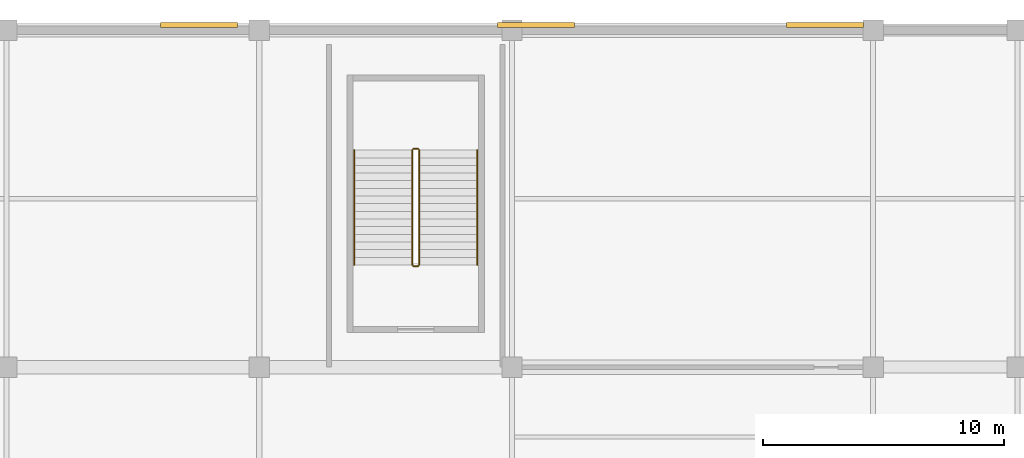
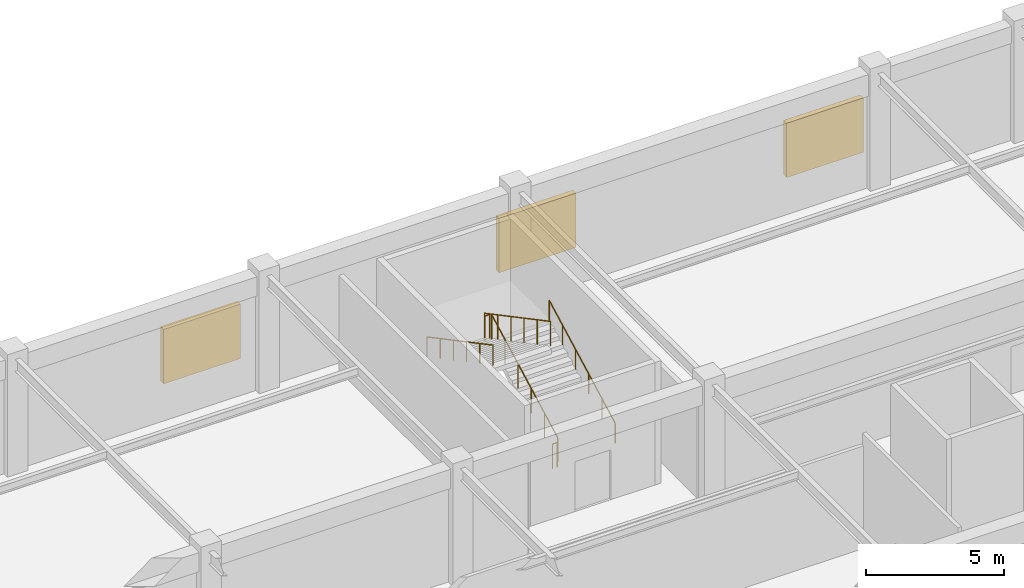
# One storey, part 119 of 120: 6 railings, 3 shading devices.
"""IFC4 building model written with IfcOpenShell, lengths in metres."""

from ifc_helpers import new_model, si_unit, direction, frame, origin, origin_2d, place, context, subcontext, project, spatial, rectangle, circle, extrude, material, type_object, element, save


model = new_model("IFC4")

# Units and contexts
model_context = context("Model", 3, precision=1e-05, world=origin(), true_north=direction((0.0, 1.0)))
body_context = subcontext(model_context, "Body", "Model", "MODEL_VIEW")
ifc_project = project(units=[si_unit("LENGTHUNIT", "METRE"), si_unit("AREAUNIT", "SQUARE_METRE"), si_unit("VOLUMEUNIT", "CUBIC_METRE"), si_unit("PLANEANGLEUNIT", "RADIAN"), si_unit("MASSUNIT", "GRAM", prefix="KILO")], contexts=[model_context])

# Site, building, storey
site_placement = place(None, origin())
site = spatial("IfcSite", under=ifc_project, at=site_placement, CompositionType="ELEMENT")
building_placement = place(site_placement, origin())
building = spatial("IfcBuilding", under=site, at=building_placement, Name="Cuetzalor Civic Arena", CompositionType="ELEMENT")
storey_placement = place(building_placement, frame((0.0, 0.0, 6.0)))
storey = spatial("IfcBuildingStorey", under=building, at=storey_placement, Name="L01", CompositionType="ELEMENT", Elevation=6.0)

# Shading devices
ifc_material_1 = material(Name="Charcoal acoustic anodised aluminium louvre", Category="aluminium")
shading_device_type = type_object("IfcShadingDeviceType", Name="AcousticPlantLouvre_Jalousie", PredefinedType="JALOUSIE", material=ifc_material_1)
for number, where, z_axis, x_axis, name in (
    (1, (8.0, 75.719970703125, 1.400146484375), (0.0, 0.0, 1.0), (1.0, 0.0, 0.0), "Acoustic Plant Intake Louvre L01-04"),
    (2, (22.0, 75.719970703125, 1.400146484375), (0.0, 0.0, 1.0), (1.0, 0.0, 0.0), "Acoustic Plant Intake Louvre L01-05"),
    (3, (34.0, 75.719970703125, 1.400146484375), (0.0, 0.0, 1.0), (1.0, 0.0, 0.0), "Acoustic Plant Intake Louvre L01-06"),
):
    element("IfcShadingDevice", number, at=place(storey_placement, frame(where, z_axis=z_axis, x_axis=x_axis)), inside=storey, type_object=shading_device_type, Name=name, PredefinedType="JALOUSIE", context=body_context, shape_type="SweptSolid", body=[
        extrude(rectangle(XDim=3.199951171875, YDim=0.219970703125, at=origin_2d()), origin(), (0.0, 0.0, 1.0), 2.39990234375),
    ])

# Railings
ifc_material_2 = material(Name="Reseda-green architectural Steel S355 balustrade", Category="steel")
railing_type_1 = type_object("IfcRailingType", Name="InteriorVoidBalustrade_1100", PredefinedType="BALUSTRADE", material=ifc_material_2)
railing_1_placement = place(storey_placement, frame((17.14990234375, 65.75, 0.168701171875)))
element("IfcRailing", 4, at=railing_1_placement, inside=storey, type_object=railing_type_1, Name="L01 ST-26 stair guard 1", PredefinedType="BALUSTRADE", context=body_context, shape_type="SweptSolid", body=[
    extrude(circle(Radius=0.02392578125, at=origin_2d()), frame((0.0, 0.0, 1.0810546875), z_axis=(0.0, 0.883332211103, 0.468747485143), x_axis=(-1.0, 0.0, 0.0)), (0.0, 0.0, 1.0), 5.400146484375),
    extrude(circle(Radius=0.02099609375, at=origin_2d()), origin(), (0.0, 0.0, 1.0), 1.056884765625),
    extrude(circle(Radius=0.02099609375, at=origin_2d()), frame((0.0, 0.9541015625, 0.50634765625)), (0.0, 0.0, 1.0), 1.056884765625),
    extrude(circle(Radius=0.02099609375, at=origin_2d()), frame((0.0, 1.907958984375, 1.012451171875)), (0.0, 0.0, 1.0), 1.056884765625),
    extrude(circle(Radius=0.02099609375, at=origin_2d()), frame((0.0, 2.862060546875, 1.518798828125)), (0.0, 0.0, 1.0), 1.056884765625),
    extrude(circle(Radius=0.02099609375, at=origin_2d()), frame((0.0, 3.81591796875, 2.02490234375)), (0.0, 0.0, 1.0), 1.056884765625),
    extrude(circle(Radius=0.02099609375, at=origin_2d()), frame((0.0, 4.77001953125, 2.53125)), (0.0, 0.0, 1.0), 1.056884765625),
])
railing_2_placement = place(storey_placement, frame((17.10009765625, 70.570068359375, 2.699951171875)))
element("IfcRailing", 5, at=railing_2_placement, inside=storey, type_object=railing_type_1, Name="L01 ST-26 stair guard 2", PredefinedType="BALUSTRADE", context=body_context, shape_type="SweptSolid", body=[
    extrude(circle(Radius=0.02392578125, at=origin_2d()), frame((0.0, 0.0, 1.0810546875), z_axis=(-1.0, 0.0, 0.0), x_axis=(0.0, -1.0, 0.0)), (0.0, 0.0, 1.0), 0.2001953125),
    extrude(circle(Radius=0.02099609375, at=origin_2d()), origin(), (0.0, 0.0, 1.0), 1.056884765625),
    extrude(circle(Radius=0.02099609375, at=origin_2d()), frame((-0.2001953125, 0.0, 0.0)), (0.0, 0.0, 1.0), 1.056884765625),
])
railing_3_placement = place(storey_placement, frame((16.85009765625, 70.52001953125, 2.86865234375)))
element("IfcRailing", 6, at=railing_3_placement, inside=storey, type_object=railing_type_1, Name="L01 ST-26 stair guard 3", PredefinedType="BALUSTRADE", context=body_context, shape_type="SweptSolid", body=[
    extrude(circle(Radius=0.02392578125, at=origin_2d()), frame((0.0, 0.0, 1.0810546875), z_axis=(0.0, -0.883332211103, 0.468747485143), x_axis=(1.0, 0.0, 0.0)), (0.0, 0.0, 1.0), 5.400146484375),
    extrude(circle(Radius=0.02099609375, at=origin_2d()), origin(), (0.0, 0.0, 1.0), 1.056884765625),
    extrude(circle(Radius=0.02099609375, at=origin_2d()), frame((0.0, -0.9541015625, 0.50634765625)), (0.0, 0.0, 1.0), 1.056884765625),
    extrude(circle(Radius=0.02099609375, at=origin_2d()), frame((0.0, -1.907958984375, 1.012451171875)), (0.0, 0.0, 1.0), 1.056884765625),
    extrude(circle(Radius=0.02099609375, at=origin_2d()), frame((0.0, -2.862060546875, 1.518798828125)), (0.0, 0.0, 1.0), 1.056884765625),
    extrude(circle(Radius=0.02099609375, at=origin_2d()), frame((0.0, -3.81591796875, 2.02490234375)), (0.0, 0.0, 1.0), 1.056884765625),
    extrude(circle(Radius=0.02099609375, at=origin_2d()), frame((0.0, -4.77001953125, 2.53125)), (0.0, 0.0, 1.0), 1.056884765625),
])
railing_4_placement = place(storey_placement, frame((17.10009765625, 65.699951171875, 0.0)))
element("IfcRailing", 7, at=railing_4_placement, inside=storey, type_object=railing_type_1, Name="L01 ST-26 stair guard 4", PredefinedType="BALUSTRADE", context=body_context, shape_type="SweptSolid", body=[
    extrude(circle(Radius=0.02392578125, at=origin_2d()), frame((0.0, 0.0, 1.0810546875), z_axis=(-1.0, 0.0, 0.0), x_axis=(0.0, -1.0, 0.0)), (0.0, 0.0, 1.0), 0.2001953125),
    extrude(circle(Radius=0.02099609375, at=origin_2d()), origin(), (0.0, 0.0, 1.0), 1.056884765625),
    extrude(circle(Radius=0.02099609375, at=origin_2d()), frame((-0.2001953125, 0.0, 0.0)), (0.0, 0.0, 1.0), 1.056884765625),
])
ifc_material_3 = material(Name="Galvanised steel S355", Category="steel")
railing_type_2 = type_object("IfcRailingType", Name="StairPitchHandrail_900", PredefinedType="HANDRAIL", material=ifc_material_3)
railing_5_placement = place(storey_placement, frame((19.550048828125, 65.75, 0.168701171875)))
element("IfcRailing", 8, at=railing_5_placement, inside=storey, type_object=railing_type_2, Name="L01 ST-26 stair handrail 1", PredefinedType="HANDRAIL", context=body_context, shape_type="SweptSolid", body=[
    extrude(circle(Radius=0.02392578125, at=origin_2d()), frame((0.0, 0.0, 0.8759765625), z_axis=(0.0, 0.883332211103, 0.468747485143), x_axis=(-1.0, 0.0, 0.0)), (0.0, 0.0, 1.0), 5.400146484375),
    extrude(circle(Radius=0.02099609375, at=origin_2d()), origin(), (0.0, 0.0, 1.0), 0.851806640625),
    extrude(circle(Radius=0.02099609375, at=origin_2d()), frame((0.0, 0.9541015625, 0.50634765625)), (0.0, 0.0, 1.0), 0.851806640625),
    extrude(circle(Radius=0.02099609375, at=origin_2d()), frame((0.0, 1.907958984375, 1.012451171875)), (0.0, 0.0, 1.0), 0.851806640625),
    extrude(circle(Radius=0.02099609375, at=origin_2d()), frame((0.0, 2.862060546875, 1.518798828125)), (0.0, 0.0, 1.0), 0.851806640625),
    extrude(circle(Radius=0.02099609375, at=origin_2d()), frame((0.0, 3.81591796875, 2.02490234375)), (0.0, 0.0, 1.0), 0.851806640625),
    extrude(circle(Radius=0.02099609375, at=origin_2d()), frame((0.0, 4.77001953125, 2.53125)), (0.0, 0.0, 1.0), 0.851806640625),
])
railing_6_placement = place(storey_placement, frame((14.449951171875, 70.52001953125, 2.86865234375)))
element("IfcRailing", 9, at=railing_6_placement, inside=storey, type_object=railing_type_2, Name="L01 ST-26 stair handrail 2", PredefinedType="HANDRAIL", context=body_context, shape_type="SweptSolid", body=[
    extrude(circle(Radius=0.02392578125, at=origin_2d()), frame((0.0, 0.0, 0.8759765625), z_axis=(0.0, -0.883332211103, 0.468747485143), x_axis=(1.0, 0.0, 0.0)), (0.0, 0.0, 1.0), 5.400146484375),
    extrude(circle(Radius=0.02099609375, at=origin_2d()), origin(), (0.0, 0.0, 1.0), 0.851806640625),
    extrude(circle(Radius=0.02099609375, at=origin_2d()), frame((0.0, -0.9541015625, 0.50634765625)), (0.0, 0.0, 1.0), 0.851806640625),
    extrude(circle(Radius=0.02099609375, at=origin_2d()), frame((0.0, -1.907958984375, 1.012451171875)), (0.0, 0.0, 1.0), 0.851806640625),
    extrude(circle(Radius=0.02099609375, at=origin_2d()), frame((0.0, -2.862060546875, 1.518798828125)), (0.0, 0.0, 1.0), 0.851806640625),
    extrude(circle(Radius=0.02099609375, at=origin_2d()), frame((0.0, -3.81591796875, 2.02490234375)), (0.0, 0.0, 1.0), 0.851806640625),
    extrude(circle(Radius=0.02099609375, at=origin_2d()), frame((0.0, -4.77001953125, 2.53125)), (0.0, 0.0, 1.0), 0.851806640625),
])

save(model, "model.ifc")
